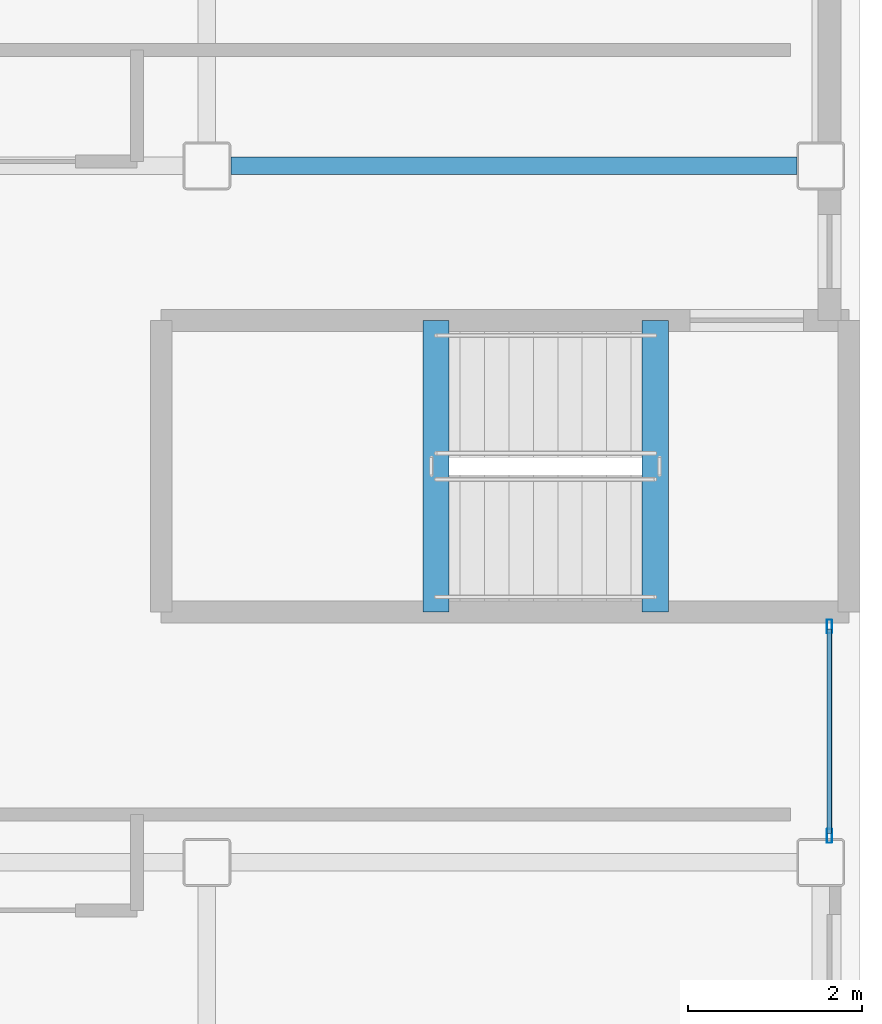
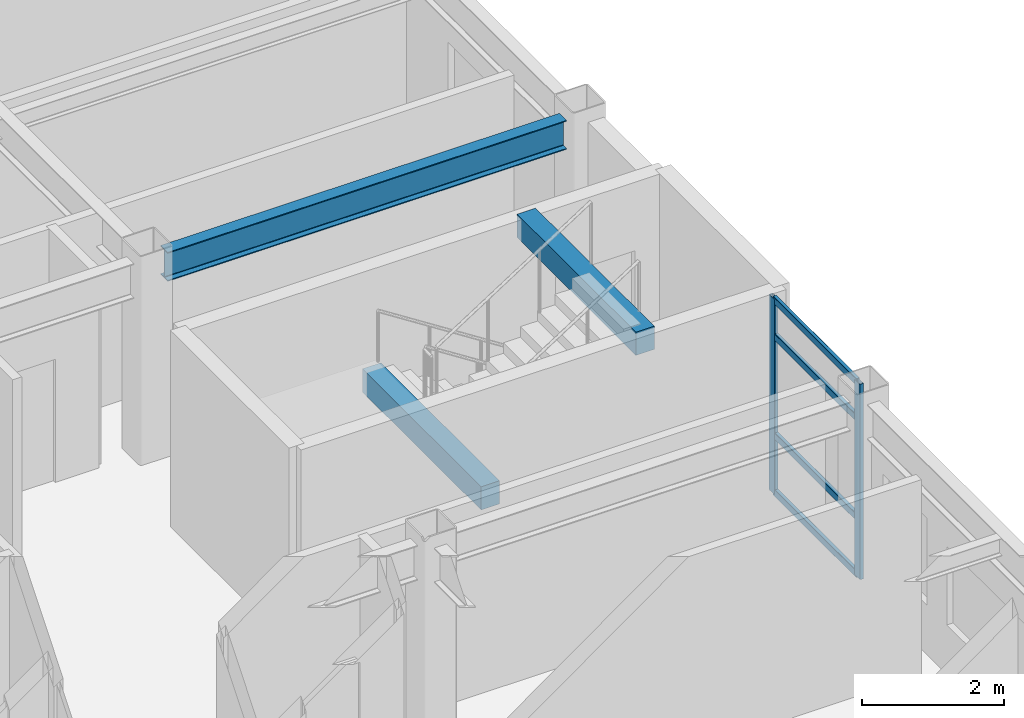
# One storey, part 10 of 36: 6 members, 3 beams, 1 element without a shape of its own.
"""IFC4 building model written with IfcOpenShell, lengths in metres."""

from ifc_helpers import new_model, si_unit, direction, frame, origin, origin_2d, place, context, subcontext, project, spatial, rectangle, hollow_rectangle, i_section, extrude, material, layer, layer_set, material_profile, profile_set, type_object, element, aggregate, save


model = new_model("IFC4")

# Units and contexts
model_context = context("Model", 3, precision=1e-05, world=origin(), true_north=direction((0.0, 1.0)))
body_context = subcontext(model_context, "Body", "Model", "MODEL_VIEW")
ifc_project = project(units=[si_unit("LENGTHUNIT", "METRE"), si_unit("AREAUNIT", "SQUARE_METRE"), si_unit("VOLUMEUNIT", "CUBIC_METRE"), si_unit("PLANEANGLEUNIT", "RADIAN"), si_unit("MASSUNIT", "GRAM", prefix="KILO")], contexts=[model_context])

# Site, building, storey
site_placement = place(None, origin())
site = spatial("IfcSite", under=ifc_project, at=site_placement, CompositionType="ELEMENT")
building_placement = place(site_placement, origin())
building = spatial("IfcBuilding", under=site, at=building_placement, Name="Kazehara Bluff Congress Hotel", CompositionType="ELEMENT")
storey_placement = place(building_placement, frame((0.0, 0.0, 31.800048828125)))
storey = spatial("IfcBuildingStorey", under=building, at=storey_placement, Name="L07", CompositionType="ELEMENT", Elevation=31.800048828125)

# Curtain wall, members
ifc_material_1 = material(Name="Anodised aluminium", Category="aluminium")
ifc_layer = layer(ifc_material_1, 0.159912109375)
ifc_layer_set = layer_set([ifc_layer], Name="Anodised aluminium")
curtain_wall_type = type_object("IfcCurtainWallType", Name="TP-CW-174", PredefinedType="NOTDEFINED", material=ifc_layer_set)
curtain_wall_placement = place(storey_placement, origin())
curtain_wall = element("IfcCurtainWall", 1, at=curtain_wall_placement, inside=storey, type_object=curtain_wall_type, Name="L07 curtain wall CW-174 CW-ENC-V5-L07-16765-1751", PredefinedType="NOTDEFINED")
ifc_material_2 = material(Name="Anodised aluminium", Category="aluminium")
ifc_material_profile_1 = material_profile(ifc_material_2, hollow_rectangle(XDim=0.06005859375, YDim=0.159912109375, WallThickness=0.00390625, InnerFilletRadius=0.00390625, OuterFilletRadius=0.008056640625, at=origin_2d()))
ifc_profile_set_1 = profile_set([ifc_material_profile_1], Name="Anodised aluminium")
member_type_1 = type_object("IfcMemberType", Name="TP-CWM-01", PredefinedType="MULLION", material=ifc_profile_set_1)
member_1_placement = place(storey_placement, frame((167.64990234375, 18.7099609375, 0.0), z_axis=(0.0, 0.0, 1.0), x_axis=(1.0, 0.0, 0.0)))
member_1 = element("IfcMember", 2, at=member_1_placement, type_object=member_type_1, Name="CW-174 mullion 1", PredefinedType="MULLION", context=body_context, shape_type="SweptSolid", body=[
    extrude(hollow_rectangle(XDim=0.06005859375, YDim=0.159912109375, WallThickness=0.00390625, InnerFilletRadius=0.00390625, OuterFilletRadius=0.008056640625, at=origin_2d()), origin(), (0.0, 0.0, 1.0), 3.364990234375),
])
member_2_placement = place(storey_placement, frame((167.64990234375, 16.304931640625, 0.0), z_axis=(0.0, 0.0, 1.0), x_axis=(1.0, 0.0, 0.0)))
member_2 = element("IfcMember", 3, at=member_2_placement, type_object=member_type_1, Name="CW-174 mullion 2", PredefinedType="MULLION", context=body_context, shape_type="SweptSolid", body=[
    extrude(hollow_rectangle(XDim=0.06005859375, YDim=0.159912109375, WallThickness=0.00390625, InnerFilletRadius=0.00390625, OuterFilletRadius=0.008056640625, at=origin_2d()), origin(), (0.0, 0.0, 1.0), 3.364990234375),
])
ifc_material_3 = material(Name="Anodised aluminium", Category="aluminium")
ifc_material_profile_2 = material_profile(ifc_material_3, hollow_rectangle(XDim=0.06005859375, YDim=0.1201171875, WallThickness=0.00390625, InnerFilletRadius=0.00390625, OuterFilletRadius=0.008056640625, at=origin_2d()))
ifc_profile_set_2 = profile_set([ifc_material_profile_2], Name="Anodised aluminium")
member_type_2 = type_object("IfcMemberType", Name="TP-CWT-01", PredefinedType="USERDEFINED", material=ifc_profile_set_2)
member_3_placement = place(storey_placement, frame((167.64990234375, 18.679931640625, 0.030029296875), z_axis=(0.0, -1.0, 0.0), x_axis=(1.0, 0.0, 0.0)))
member_3 = element("IfcMember", 4, at=member_3_placement, type_object=member_type_2, Name="CW-174 transom 1.1", ObjectType="TRANSOM", PredefinedType="USERDEFINED", context=body_context, shape_type="SweptSolid", body=[
    extrude(hollow_rectangle(XDim=0.06005859375, YDim=0.1201171875, WallThickness=0.00390625, InnerFilletRadius=0.00390625, OuterFilletRadius=0.008056640625, at=origin_2d()), origin(), (0.0, 0.0, 1.0), 2.344970703125),
])
member_4_placement = place(storey_placement, frame((167.64990234375, 18.679931640625, 1.010009765625), z_axis=(0.0, -1.0, 0.0), x_axis=(1.0, 0.0, 0.0)))
member_4 = element("IfcMember", 5, at=member_4_placement, type_object=member_type_2, Name="CW-174 transom 1.2", ObjectType="TRANSOM", PredefinedType="USERDEFINED", context=body_context, shape_type="SweptSolid", body=[
    extrude(hollow_rectangle(XDim=0.06005859375, YDim=0.1201171875, WallThickness=0.00390625, InnerFilletRadius=0.00390625, OuterFilletRadius=0.008056640625, at=origin_2d()), origin(), (0.0, 0.0, 1.0), 2.344970703125),
])
member_5_placement = place(storey_placement, frame((167.64990234375, 18.679931640625, 2.71484375), z_axis=(0.0, -1.0, 0.0), x_axis=(1.0, 0.0, 0.0)))
member_5 = element("IfcMember", 6, at=member_5_placement, type_object=member_type_2, Name="CW-174 transom 1.3", ObjectType="TRANSOM", PredefinedType="USERDEFINED", context=body_context, shape_type="SweptSolid", body=[
    extrude(hollow_rectangle(XDim=0.06005859375, YDim=0.1201171875, WallThickness=0.00390625, InnerFilletRadius=0.00390625, OuterFilletRadius=0.008056640625, at=origin_2d()), origin(), (0.0, 0.0, 1.0), 2.344970703125),
])
member_6_placement = place(storey_placement, frame((167.64990234375, 18.679931640625, 3.3349609375), z_axis=(0.0, -1.0, 0.0), x_axis=(1.0, 0.0, 0.0)))
member_6 = element("IfcMember", 7, at=member_6_placement, type_object=member_type_2, Name="CW-174 transom 1.4", ObjectType="TRANSOM", PredefinedType="USERDEFINED", context=body_context, shape_type="SweptSolid", body=[
    extrude(hollow_rectangle(XDim=0.06005859375, YDim=0.1201171875, WallThickness=0.00390625, InnerFilletRadius=0.00390625, OuterFilletRadius=0.008056640625, at=origin_2d()), origin(), (0.0, 0.0, 1.0), 2.344970703125),
])
aggregate(curtain_wall, [member_1, member_2, member_3, member_4, member_5, member_6])

# Beams
ifc_material_4 = material(Name="Steel SN490B", Category="steel")
ifc_material_profile_3 = material_profile(ifc_material_4, i_section(OverallWidth=0.199951171875, OverallDepth=0.5, WebThickness=0.010009765625, FlangeThickness=0.01611328125, FilletRadius=0.012939453125, at=origin_2d()))
ifc_profile_set_3 = profile_set([ifc_material_profile_3], Name="Steel SN490B")
beam_type_1 = type_object("IfcBeamType", Name="TP-G-01", PredefinedType="BEAM", material=ifc_profile_set_3)
beam_placement = place(storey_placement, frame((160.77490234375, 24.0, 3.1298828125), z_axis=(1.0, 0.0, 0.0), x_axis=(0.0, 1.0, 0.0)))
element("IfcBeam", 8, at=beam_placement, inside=storey, type_object=beam_type_1, Name="L07 girder G-01 44", PredefinedType="BEAM", context=body_context, shape_type="SweptSolid", body=[
    extrude(i_section(OverallWidth=0.199951171875, OverallDepth=0.5, WebThickness=0.010009765625, FlangeThickness=0.01611328125, FilletRadius=0.012939453125, at=origin_2d()), origin(), (0.0, 0.0, 1.0), 6.5),
])
ifc_material_5 = material(Name="Concrete C40/50", Category="concrete")
ifc_material_profile_4 = material_profile(ifc_material_5, rectangle(XDim=0.300048828125, YDim=0.39990234375, at=origin_2d()))
ifc_profile_set_4 = profile_set([ifc_material_profile_4], Name="Concrete C40/50")
beam_type_2 = type_object("IfcBeamType", Name="TP-LN-02", PredefinedType="LINTEL", material=ifc_profile_set_4)
for number, where, z_axis, x_axis, name in (
    (9, (163.1298828125, 22.22509765625, 1.419921875), (0.0, -1.0, 0.0), (1.0, 0.0, 0.0), "L07 ST-10 half-landing support beam 1"),
    (10, (165.64990234375, 22.22509765625, 3.199951171875), (0.0, -1.0, 0.0), (1.0, 0.0, 0.0), "L08 ST-10 stairwell trimmer beam"),
):
    element("IfcBeam", number, at=place(storey_placement, frame(where, z_axis=z_axis, x_axis=x_axis)), inside=storey, type_object=beam_type_2, Name=name, PredefinedType="LINTEL", context=body_context, shape_type="SweptSolid", body=[
        extrude(rectangle(XDim=0.300048828125, YDim=0.39990234375, at=origin_2d()), origin(), (0.0, 0.0, 1.0), 3.35009765625),
    ])

save(model, "model.ifc")
